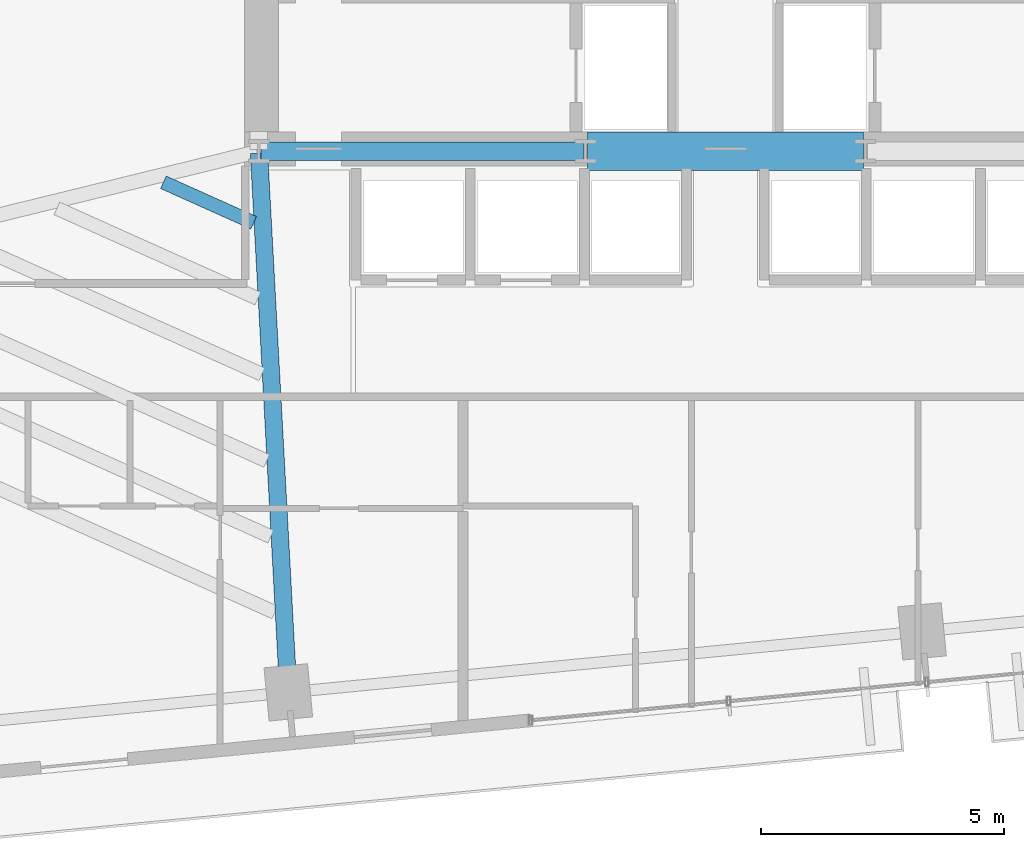
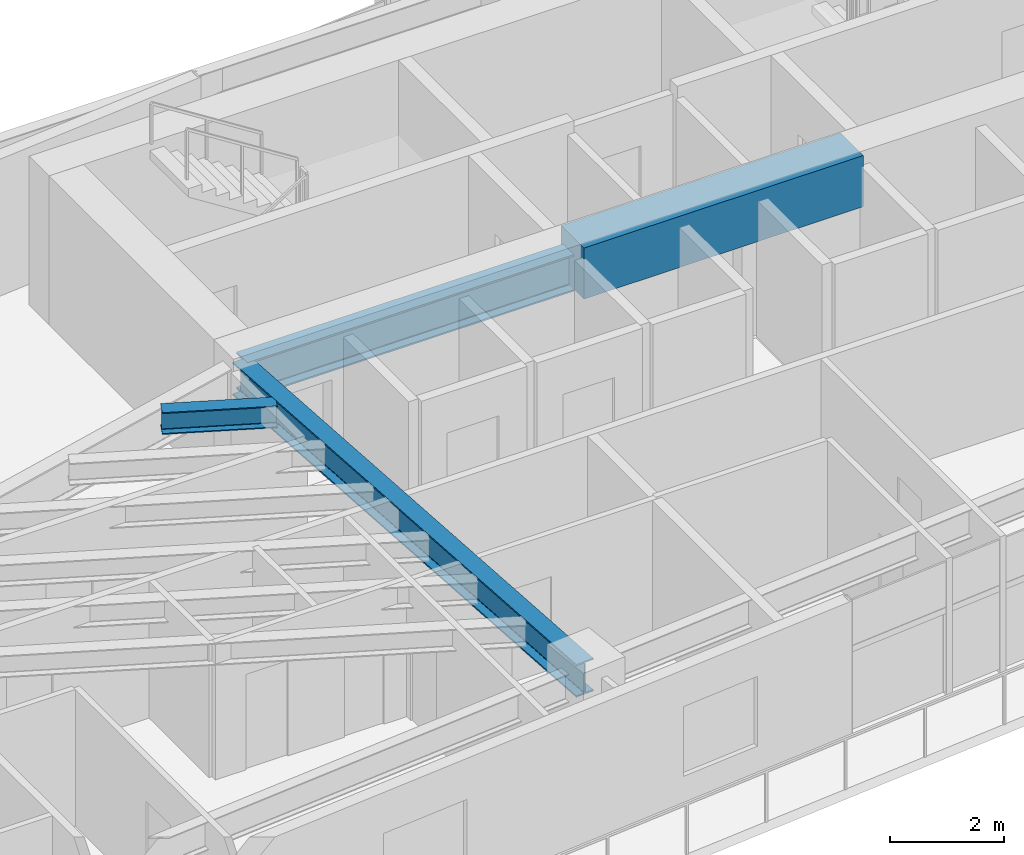
# One storey, part 7 of 25: 4 beams.
"""IFC4 building model written with IfcOpenShell, lengths in metres."""

from ifc_helpers import new_model, si_unit, direction, frame, origin, origin_2d, place, context, subcontext, project, spatial, rectangle, i_section, extrude, source, transform, mapped, material, material_profile, profile_set, type_object, type_shapes, element, save


model = new_model("IFC4")

# Units and contexts
model_context = context("Model", 3, precision=1e-05, world=origin(), true_north=direction((0.0, 1.0)))
body_context = subcontext(model_context, "Body", "Model", "MODEL_VIEW")
ifc_project = project(units=[si_unit("LENGTHUNIT", "METRE"), si_unit("AREAUNIT", "SQUARE_METRE"), si_unit("VOLUMEUNIT", "CUBIC_METRE"), si_unit("PLANEANGLEUNIT", "RADIAN"), si_unit("MASSUNIT", "GRAM", prefix="KILO")], contexts=[model_context])

# Site, building, storey
site_placement = place(None, origin())
site = spatial("IfcSite", under=ifc_project, at=site_placement, CompositionType="ELEMENT")
building_placement = place(site_placement, origin())
building = spatial("IfcBuilding", under=site, at=building_placement, Name="Astriad Promenade Condominiums", CompositionType="ELEMENT")
storey_placement = place(building_placement, frame((0.0, 0.0, 81.0)))
storey = spatial("IfcBuildingStorey", under=building, at=storey_placement, Name="L22", CompositionType="ELEMENT", Elevation=81.0)

# Beams
ifc_material_1 = material(Name="Steel ASTM A992 Grade 50", Category="steel")
ifc_material_profile_1 = material_profile(ifc_material_1, i_section(OverallWidth=0.3837890625, OverallDepth=0.785888671875, WebThickness=0.019775390625, FlangeThickness=0.033447265625, FilletRadius=0.021484375, at=origin_2d()), Name="W30X211")
ifc_profile_set_1 = profile_set([ifc_material_profile_1], Name="Steel ASTM A992 Grade 50")
beam_type_1 = type_object("IfcBeamType", Name="STEEL FLOOR GIRDER W30X211", PredefinedType="BEAM", material=ifc_profile_set_1)
shared_shape_1 = source(origin(), body_context, "Body", "SweptSolid", [
    extrude(i_section(OverallWidth=0.3837890625, OverallDepth=0.785888671875, WebThickness=0.019775390625, FlangeThickness=0.033447265625, FilletRadius=0.021484375, at=origin_2d()), origin(), (0.0, 0.0, 1.0), 6.64013671875),
])
type_shapes(beam_type_1, [shared_shape_1])
beam_1_placement = place(storey_placement, frame((26.43994140625, 17.39990234375, 2.547119140625), z_axis=(1.0, 0.0, 0.0), x_axis=(0.0, 1.0, 0.0)))
element("IfcBeam", 1, at=beam_1_placement, inside=storey, type_object=beam_type_1, Name="Core Ring Beam CG-S1-L22", PredefinedType="BEAM", context=body_context, shape_type="MappedRepresentation", body=[
    mapped(shared_shape_1, transform((0.0, 0.0, 0.0), scale=1.0)),
])
ifc_material_2 = material(Name="Concrete C80/95", Category="concrete")
ifc_material_profile_2 = material_profile(ifc_material_2, rectangle(XDim=0.800048828125, YDim=1.10009765625, at=origin_2d()), Name="RC-BM-800X1100")
ifc_profile_set_2 = profile_set([ifc_material_profile_2], Name="Concrete C80/95")
beam_type_2 = type_object("IfcBeamType", Name="CONCRETE CORE COUPLING LINTEL 800X1100", PredefinedType="LINTEL", material=ifc_profile_set_2)
shared_shape_2 = source(origin(), body_context, "Body", "SweptSolid", [
    extrude(rectangle(XDim=0.800048828125, YDim=1.10009765625, at=origin_2d()), origin(), (0.0, 0.0, 1.0), 5.68017578125),
])
type_shapes(beam_type_2, [shared_shape_2])
beam_2_placement = place(storey_placement, frame((33.159912109375, 17.39990234375, 2.6298828125), z_axis=(1.0, 0.0, 0.0), x_axis=(0.0, 1.0, 0.0)))
element("IfcBeam", 2, at=beam_2_placement, inside=storey, type_object=beam_type_2, Name="Core Ring Beam CG-S2-L22", PredefinedType="LINTEL", context=body_context, shape_type="MappedRepresentation", body=[
    mapped(shared_shape_2, transform((0.0, 0.0, 0.0), scale=1.0)),
])
ifc_material_profile_3 = material_profile(ifc_material_1, i_section(OverallWidth=0.35791015625, OverallDepth=0.706298828125, WebThickness=0.018310546875, FlangeThickness=0.0302734375, FilletRadius=0.020263671875, at=origin_2d()), Name="W27X178")
ifc_profile_set_3 = profile_set([ifc_material_profile_3], Name="Steel ASTM A992 Grade 50")
beam_type_3 = type_object("IfcBeamType", Name="STEEL FLOOR GIRDER W27X178", PredefinedType="BEAM", material=ifc_profile_set_3)
shared_shape_3 = source(origin(), body_context, "Body", "SweptSolid", [
    extrude(i_section(OverallWidth=0.35791015625, OverallDepth=0.706298828125, WebThickness=0.018310546875, FlangeThickness=0.0302734375, FilletRadius=0.020263671875, at=origin_2d()), origin(), (0.0, 0.0, 1.0), 11.071533203125),
])
type_shapes(beam_type_3, [shared_shape_3])
beam_3_placement = place(storey_placement, frame((27.00341796875, 6.304931640625, 2.5869140625), z_axis=(-0.05431219074, 0.998524003686, 0.0), x_axis=(-0.998524003686, -0.05431219074, 0.0)))
element("IfcBeam", 3, at=beam_3_placement, inside=storey, type_object=beam_type_3, Name="Primary Floor Girder PG-W2-L22", PredefinedType="BEAM", context=body_context, shape_type="MappedRepresentation", body=[
    mapped(shared_shape_3, transform((0.0, 0.0, 0.0), scale=1.0)),
])
ifc_material_profile_4 = material_profile(ifc_material_1, i_section(OverallWidth=0.283203125, OverallDepth=0.47216796875, WebThickness=0.013671875, FlangeThickness=0.022216796875, FilletRadius=0.01513671875, at=origin_2d()), Name="W18X97")
ifc_profile_set_4 = profile_set([ifc_material_profile_4], Name="Steel ASTM A992 Grade 50")
beam_type_4 = type_object("IfcBeamType", Name="STEEL FLOOR JOIST W18X97", PredefinedType="JOIST", material=ifc_profile_set_4)
shared_shape_4 = source(origin(), body_context, "Body", "SweptSolid", [
    extrude(i_section(OverallWidth=0.283203125, OverallDepth=0.47216796875, WebThickness=0.013671875, FlangeThickness=0.022216796875, FilletRadius=0.01513671875, at=origin_2d()), origin(), (0.0, 0.0, 1.0), 2.03564453125),
])
type_shapes(beam_type_4, [shared_shape_4])
beam_4_placement = place(storey_placement, frame((24.434814453125, 16.76123046875, 2.703857421875), z_axis=(0.912286908711, -0.409551701492, 0.0), x_axis=(0.409551701492, 0.912286908711, 0.0)))
element("IfcBeam", 4, at=beam_4_placement, inside=storey, type_object=beam_type_4, Name="Secondary Composite Floor Joist JW1-6-L22", PredefinedType="JOIST", context=body_context, shape_type="MappedRepresentation", body=[
    mapped(shared_shape_4, transform((0.0, 0.0, 0.0), scale=1.0)),
])

save(model, "model.ifc")
